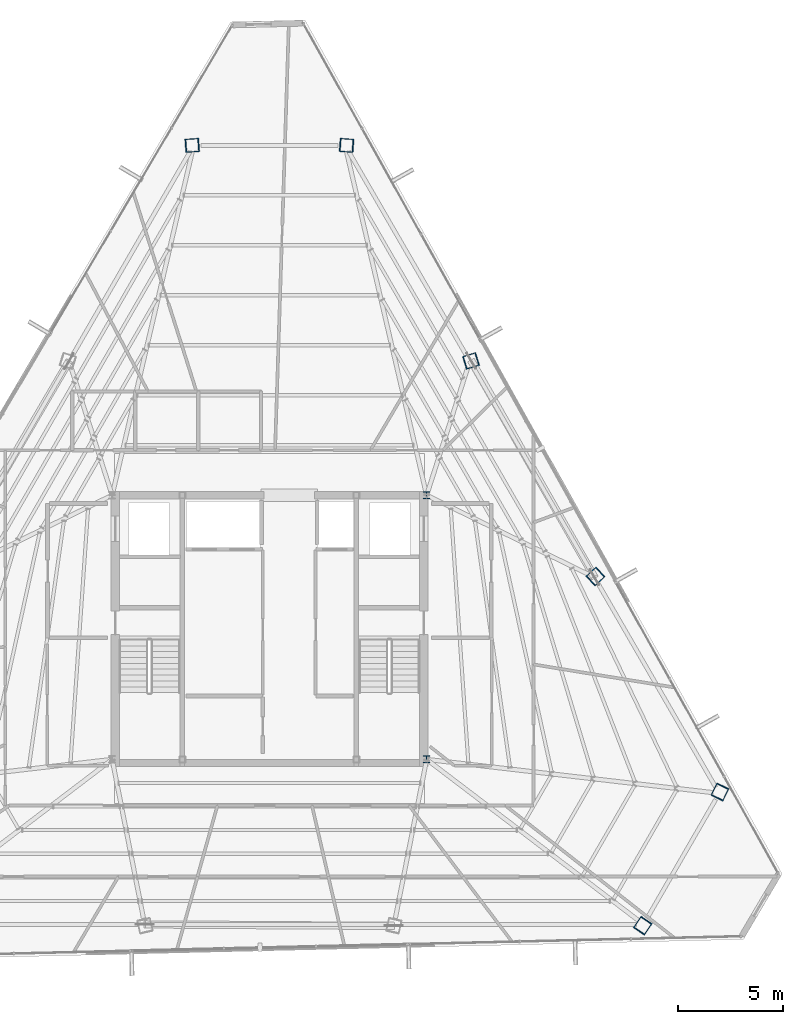
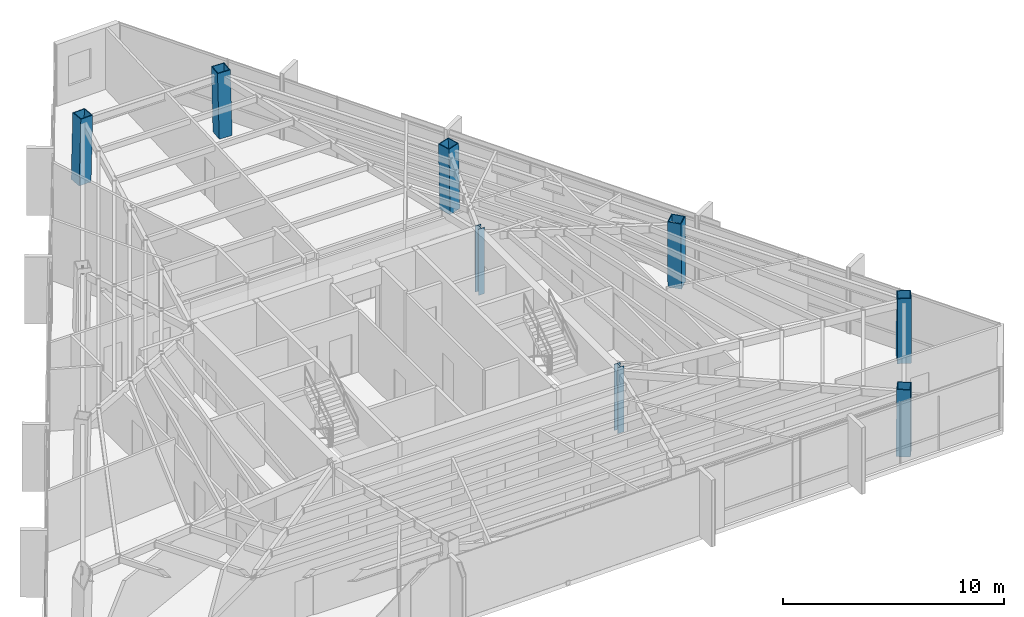
# One storey, part 2 of 45: 8 columns.
"""IFC4 building model written with IfcOpenShell, lengths in metres."""

from ifc_helpers import new_model, si_unit, direction, frame, origin, origin_2d, place, context, subcontext, project, spatial, hollow_rectangle, i_section, extrude, source, transform, mapped, material, material_profile, profile_set, type_object, type_shapes, element, save


model = new_model("IFC4")

# Units and contexts
model_context = context("Model", 3, precision=1e-05, world=origin(), true_north=direction((0.0, 1.0)))
body_context = subcontext(model_context, "Body", "Model", "MODEL_VIEW")
ifc_project = project(units=[si_unit("LENGTHUNIT", "METRE"), si_unit("AREAUNIT", "SQUARE_METRE"), si_unit("VOLUMEUNIT", "CUBIC_METRE"), si_unit("PLANEANGLEUNIT", "RADIAN"), si_unit("MASSUNIT", "GRAM", prefix="KILO")], contexts=[model_context])

# Site, building, storey
site_placement = place(None, origin())
site = spatial("IfcSite", under=ifc_project, at=site_placement, CompositionType="ELEMENT")
building_placement = place(site_placement, origin())
building = spatial("IfcBuilding", under=site, at=building_placement, Name="Caelisora Broadcast Tower", CompositionType="ELEMENT")
storey_placement = place(building_placement, frame((0.0, 0.0, 262.699951171875)))
storey = spatial("IfcBuildingStorey", under=building, at=storey_placement, Name="L69", CompositionType="ELEMENT", Elevation=262.699951171875)

# Columns
ifc_material_1 = material(Name="Steel Grade 350 (AS/NZS 3679.1)", Category="steel")
ifc_material_profile_1 = material_profile(ifc_material_1, i_section(OverallWidth=0.31103515625, OverallDepth=0.3271484375, WebThickness=0.015625, FlangeThickness=0.02490234375, at=origin_2d()), Name="Steel Grade 350 (AS/NZS 3679.1)")
ifc_profile_set_1 = profile_set([ifc_material_profile_1], Name="Steel Grade 350 (AS/NZS 3679.1)")
column_type_1 = type_object("IfcColumnType", Name="CC03", PredefinedType="COLUMN", material=ifc_profile_set_1)
shared_shape_1 = source(origin(), body_context, "Body", "SweptSolid", [
    extrude(i_section(OverallWidth=0.31103515625, OverallDepth=0.3271484375, WebThickness=0.015625, FlangeThickness=0.02490234375, at=origin_2d()), origin(), (0.0, 0.0, 1.0), 3.650146484375),
])
type_shapes(column_type_1, [shared_shape_1])
for number, where, z_axis, x_axis, name in (
    (1, (45.5, 17.39990234375, 0.0), (0.0, 0.0, 1.0), (1.0, 0.0, 0.0), "L69 column CC03"),
    (2, (45.5, 30.0, 0.0), (0.0, 0.0, 1.0), (1.0, 0.0, 0.0), "L69 column CC03"),
):
    element("IfcColumn", number, at=place(storey_placement, frame(where, z_axis=z_axis, x_axis=x_axis)), inside=storey, type_object=column_type_1, Name=name, PredefinedType="COLUMN", context=body_context, shape_type="MappedRepresentation", body=[
        mapped(shared_shape_1, transform((0.0, 0.0, 0.0), scale=1.0)),
    ])
ifc_material_2 = material(Name="Steel Grade 350 L15 (AS/NZS 3678)", Category="steel")
ifc_material_profile_2 = material_profile(ifc_material_2, hollow_rectangle(XDim=0.64990234375, YDim=0.64990234375, WallThickness=0.0400390625, at=origin_2d()), Name="Steel Grade 350 L15 (AS/NZS 3678)")
ifc_profile_set_2 = profile_set([ifc_material_profile_2], Name="Steel Grade 350 L15 (AS/NZS 3678)")
column_type_2 = type_object("IfcColumnType", Name="MC06", PredefinedType="COLUMN", material=ifc_profile_set_2)
shared_shape_2 = source(origin(), body_context, "Body", "SweptSolid", [
    extrude(hollow_rectangle(XDim=0.64990234375, YDim=0.64990234375, WallThickness=0.0400390625, at=origin_2d()), origin(), (0.0, 0.0, 1.0), 3.651123046875),
])
for number, where, z_axis, x_axis, name in (
    (3, (41.695556640625, 46.685791015625, 0.0), (-0.023871161178, 0.00173851594, 0.999713531581), (-0.07263675076, -0.997358462359, 0.0), "L69 column MC06"),
    (4, (34.304443359375, 46.685791015625, 0.0), (0.023871161178, 0.00173851594, 0.999713531581), (-0.07263675076, 0.997358462359, 0.0), "L69 column MC06"),
    (5, (55.798583984375, 9.456787109375, 0.0), (0.013506922627, 0.019792322266, 0.999712872289), (-0.825991119814, 0.563683129062, 0.0), "L69 column MC06"),
    (6, (59.494140625, 15.857421875, 0.0), (-0.010364239282, -0.021530871282, 0.999714461297), (0.901042175273, -0.433731481886, 0.0), "L69 column MC06"),
):
    element("IfcColumn", number, at=place(storey_placement, frame(where, z_axis=z_axis, x_axis=x_axis)), inside=storey, type_object=column_type_2, Name=name, PredefinedType="COLUMN", context=body_context, shape_type="MappedRepresentation", body=[
        mapped(shared_shape_2, transform((0.0, 0.0, 0.0), scale=1.0)),
    ])
shared_shape_3 = source(origin(), body_context, "Body", "SweptSolid", [
    extrude(hollow_rectangle(XDim=0.64990234375, YDim=0.64990234375, WallThickness=0.0400390625, at=origin_2d()), origin(), (0.0, 0.0, 1.0), 3.65087890625),
])
type_shapes(column_type_2, [shared_shape_2, shared_shape_3])
for number, where, z_axis, x_axis, name in (
    (7, (53.561279296875, 26.133544921875, 0.0), (-0.014912316331, -0.013775502979, 0.999793907933), (0.678553674548, -0.734550822447, 0.0), "L69 column MC06"),
    (8, (47.62841796875, 36.40966796875, 0.0), (-0.01939269685, -0.00601842316, 0.999793829693), (0.296399214872, -0.955064136811, 0.0), "L69 column MC06"),
):
    element("IfcColumn", number, at=place(storey_placement, frame(where, z_axis=z_axis, x_axis=x_axis)), inside=storey, type_object=column_type_2, Name=name, PredefinedType="COLUMN", context=body_context, shape_type="MappedRepresentation", body=[
        mapped(shared_shape_3, transform((0.0, 0.0, 0.0), scale=1.0)),
    ])

save(model, "model.ifc")
